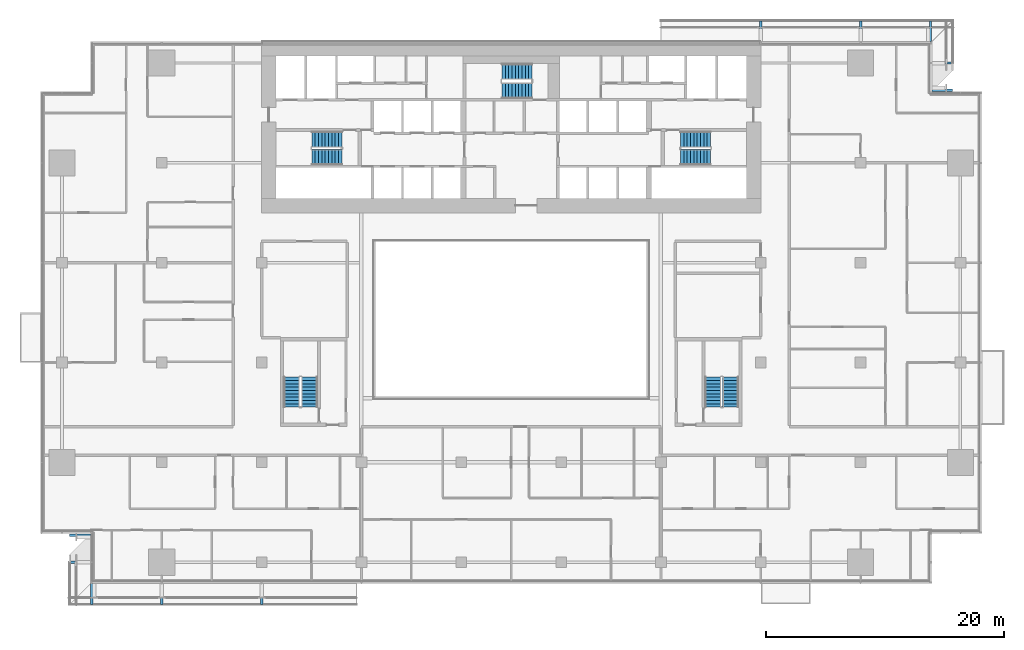
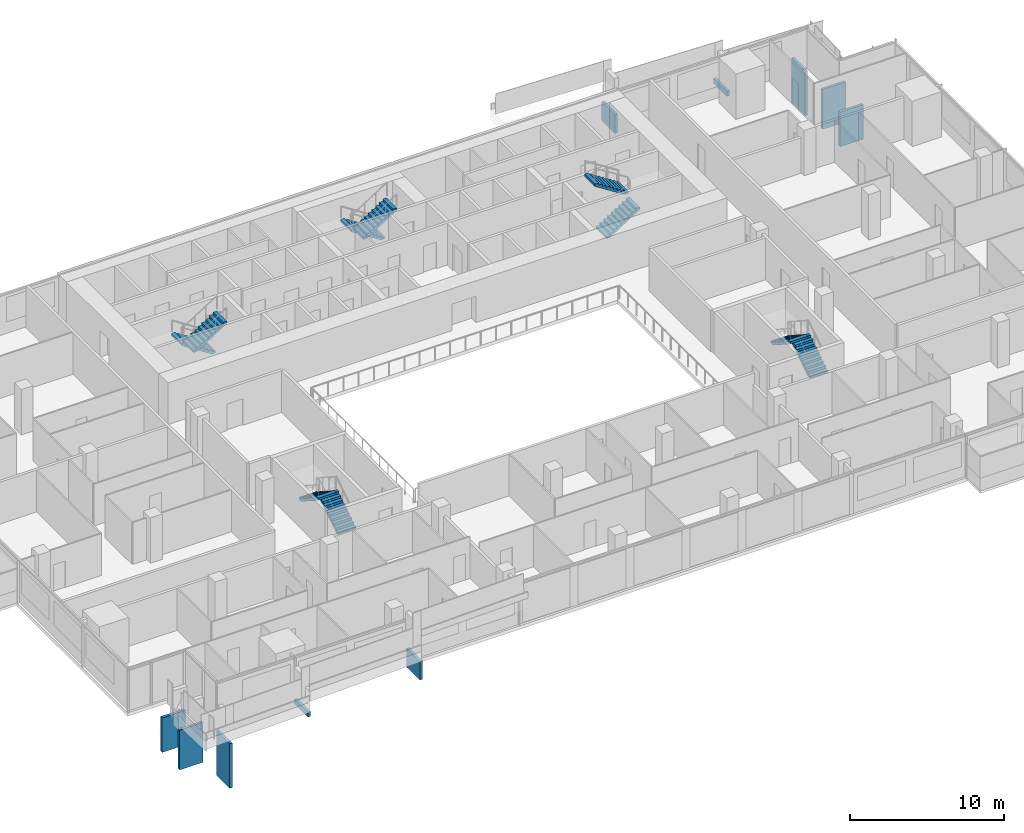
# One storey, part 24 of 29: 10 discrete accessories, 10 stair flights, 5 elements without a shape of their own.
"""IFC4 building model written with IfcOpenShell, lengths in metres."""

from ifc_helpers import new_model, si_unit, direction, frame, origin, origin_2d, place, context, subcontext, project, spatial, polyline, rectangle, outline, extrude, material, type_object, element, aggregate, save


model = new_model("IFC4")

# Units and contexts
model_context = context("Model", 3, precision=1e-05, world=origin(), true_north=direction((0.0, 1.0)))
body_context = subcontext(model_context, "Body", "Model", "MODEL_VIEW")
ifc_project = project(units=[si_unit("LENGTHUNIT", "METRE"), si_unit("AREAUNIT", "SQUARE_METRE"), si_unit("VOLUMEUNIT", "CUBIC_METRE"), si_unit("PLANEANGLEUNIT", "RADIAN"), si_unit("MASSUNIT", "GRAM", prefix="KILO")], contexts=[model_context])

# Site, building, storey
site_placement = place(None, origin())
site = spatial("IfcSite", under=ifc_project, at=site_placement, CompositionType="ELEMENT")
building_placement = place(site_placement, origin())
building = spatial("IfcBuilding", under=site, at=building_placement, Name="Saffron Gate Tower", CompositionType="ELEMENT")
storey_placement = place(building_placement, frame((0.0, 0.0, 58.800048828125)))
storey = spatial("IfcBuildingStorey", under=building, at=storey_placement, Name="L13", CompositionType="ELEMENT", Elevation=58.800048828125)

# Stair, stair flights
ifc_material = material(Name="Concrete C40", Category="concrete")
stair_type = type_object("IfcStairType", Name="ST7 Stair 1350 wide, 20 risers of 180", PredefinedType="HALF_TURN_STAIR", material=ifc_material)
stair_1_placement = place(storey_placement, origin())
stair_1 = element("IfcStair", 1, at=stair_1_placement, inside=storey, type_object=stair_type, Name="L13 Exit stair A", PredefinedType="HALF_TURN_STAIR")
stair_flight_type = type_object("IfcStairFlightType", Name="SF3 Stair flight 1350 wide, riser 180 going 280", PredefinedType="STRAIGHT", material=ifc_material)
stair_flight_1_placement = place(storey_placement, frame((73.35009765625, 67.375, 0.0), z_axis=(0.0, 0.0, 1.0), x_axis=(-1.0, 0.0, 0.0)))
stair_flight_1 = element("IfcStairFlight", 2, at=stair_flight_1_placement, type_object=stair_flight_type, Name="ST-A flight 1", NumberOfRisers=10, NumberOfTreads=9, PredefinedType="STRAIGHT", RiserHeight=0.18, TreadLength=0.28, context=body_context, shape_type="SweptSolid", body=[
    extrude(outline(polyline([(0.0, 0.0), (0.0, 0.179931640625), (0.280029296875, 0.179931640625), (0.280029296875, 0.360107421875), (0.56005859375, 0.360107421875), (0.56005859375, 0.5400390625), (0.840087890625, 0.5400390625), (0.840087890625, 0.719970703125), (1.1201171875, 0.719970703125), (1.1201171875, 0.89990234375), (1.39990234375, 0.89990234375), (1.39990234375, 1.080078125), (1.679931640625, 1.080078125), (1.679931640625, 1.260009765625), (1.9599609375, 1.260009765625), (1.9599609375, 1.43994140625), (2.239990234375, 1.43994140625), (2.239990234375, 1.6201171875), (2.52001953125, 1.6201171875), (2.52001953125, 1.800048828125), (2.52001953125, 1.44189453125), (0.277099609375, 0.0), (0.0, 0.0)])), frame((0.0, 0.675048828125, 0.0), z_axis=(0.0, -1.0, 0.0), x_axis=(1.0, 0.0, 0.0)), (0.0, 0.0, 1.0), 1.35009765625),
])
stair_flight_2_placement = place(storey_placement, frame((70.830078125, 65.875, 1.800048828125), z_axis=(0.0, 0.0, 1.0), x_axis=(1.0, 0.0, 0.0)))
stair_flight_2 = element("IfcStairFlight", 3, at=stair_flight_2_placement, type_object=stair_flight_type, Name="ST-A flight 2", NumberOfRisers=10, NumberOfTreads=9, PredefinedType="STRAIGHT", RiserHeight=0.18, TreadLength=0.28, context=body_context, shape_type="SweptSolid", body=[
    extrude(outline(polyline([(0.0, 0.0), (0.0, 0.179931640625), (0.280029296875, 0.179931640625), (0.280029296875, 0.360107421875), (0.56005859375, 0.360107421875), (0.56005859375, 0.5400390625), (0.840087890625, 0.5400390625), (0.840087890625, 0.719970703125), (1.1201171875, 0.719970703125), (1.1201171875, 0.89990234375), (1.39990234375, 0.89990234375), (1.39990234375, 1.080078125), (1.679931640625, 1.080078125), (1.679931640625, 1.260009765625), (1.9599609375, 1.260009765625), (1.9599609375, 1.43994140625), (2.239990234375, 1.43994140625), (2.239990234375, 1.6201171875), (2.52001953125, 1.6201171875), (2.52001953125, 1.800048828125), (2.52001953125, 1.44189453125), (0.277099609375, 0.0), (0.0, 0.0)])), frame((0.0, 0.675048828125, 0.0), z_axis=(0.0, -1.0, 0.0), x_axis=(1.0, 0.0, 0.0)), (0.0, 0.0, 1.0), 1.35009765625),
])
aggregate(stair_1, [stair_flight_1, stair_flight_2])

stair_2_placement = place(storey_placement, origin())
stair_2 = element("IfcStair", 4, at=stair_2_placement, inside=storey, type_object=stair_type, Name="L13 Exit stair B", PredefinedType="HALF_TURN_STAIR")
stair_flight_3_placement = place(storey_placement, frame((101.85009765625, 65.875, 0.0), z_axis=(0.0, 0.0, 1.0), x_axis=(1.0, 0.0, 0.0)))
stair_flight_3 = element("IfcStairFlight", 5, at=stair_flight_3_placement, type_object=stair_flight_type, Name="ST-B flight 1", NumberOfRisers=10, NumberOfTreads=9, PredefinedType="STRAIGHT", RiserHeight=0.18, TreadLength=0.28, context=body_context, shape_type="SweptSolid", body=[
    extrude(outline(polyline([(0.0, 0.0), (0.0, 0.179931640625), (0.280029296875, 0.179931640625), (0.280029296875, 0.360107421875), (0.56005859375, 0.360107421875), (0.56005859375, 0.5400390625), (0.840087890625, 0.5400390625), (0.840087890625, 0.719970703125), (1.1201171875, 0.719970703125), (1.1201171875, 0.89990234375), (1.39990234375, 0.89990234375), (1.39990234375, 1.080078125), (1.679931640625, 1.080078125), (1.679931640625, 1.260009765625), (1.9599609375, 1.260009765625), (1.9599609375, 1.43994140625), (2.239990234375, 1.43994140625), (2.239990234375, 1.6201171875), (2.52001953125, 1.6201171875), (2.52001953125, 1.800048828125), (2.52001953125, 1.44189453125), (0.277099609375, 0.0), (0.0, 0.0)])), frame((0.0, 0.675048828125, 0.0), z_axis=(0.0, -1.0, 0.0), x_axis=(1.0, 0.0, 0.0)), (0.0, 0.0, 1.0), 1.35009765625),
])
stair_flight_4_placement = place(storey_placement, frame((104.3701171875, 67.375, 1.800048828125), z_axis=(0.0, 0.0, 1.0), x_axis=(-1.0, 0.0, 0.0)))
stair_flight_4 = element("IfcStairFlight", 6, at=stair_flight_4_placement, type_object=stair_flight_type, Name="ST-B flight 2", NumberOfRisers=10, NumberOfTreads=9, PredefinedType="STRAIGHT", RiserHeight=0.18, TreadLength=0.28, context=body_context, shape_type="SweptSolid", body=[
    extrude(outline(polyline([(0.0, 0.0), (0.0, 0.179931640625), (0.280029296875, 0.179931640625), (0.280029296875, 0.360107421875), (0.56005859375, 0.360107421875), (0.56005859375, 0.5400390625), (0.840087890625, 0.5400390625), (0.840087890625, 0.719970703125), (1.1201171875, 0.719970703125), (1.1201171875, 0.89990234375), (1.39990234375, 0.89990234375), (1.39990234375, 1.080078125), (1.679931640625, 1.080078125), (1.679931640625, 1.260009765625), (1.9599609375, 1.260009765625), (1.9599609375, 1.43994140625), (2.239990234375, 1.43994140625), (2.239990234375, 1.6201171875), (2.52001953125, 1.6201171875), (2.52001953125, 1.800048828125), (2.52001953125, 1.44189453125), (0.277099609375, 0.0), (0.0, 0.0)])), frame((0.0, 0.675048828125, 0.0), z_axis=(0.0, -1.0, 0.0), x_axis=(1.0, 0.0, 0.0)), (0.0, 0.0, 1.0), 1.35009765625),
])
aggregate(stair_2, [stair_flight_3, stair_flight_4])

stair_3_placement = place(storey_placement, origin())
stair_3 = element("IfcStair", 7, at=stair_3_placement, inside=storey, type_object=stair_type, Name="L13 Exit stair C", PredefinedType="HALF_TURN_STAIR")
stair_flight_5_placement = place(storey_placement, frame((89.35009765625, 73.074951171875, 0.0), z_axis=(0.0, 0.0, 1.0), x_axis=(-1.0, 0.0, 0.0)))
stair_flight_5 = element("IfcStairFlight", 8, at=stair_flight_5_placement, type_object=stair_flight_type, Name="ST-C flight 1", NumberOfRisers=10, NumberOfTreads=9, PredefinedType="STRAIGHT", RiserHeight=0.18, TreadLength=0.28, context=body_context, shape_type="SweptSolid", body=[
    extrude(outline(polyline([(0.0, 0.0), (0.0, 0.179931640625), (0.280029296875, 0.179931640625), (0.280029296875, 0.360107421875), (0.56005859375, 0.360107421875), (0.56005859375, 0.5400390625), (0.840087890625, 0.5400390625), (0.840087890625, 0.719970703125), (1.1201171875, 0.719970703125), (1.1201171875, 0.89990234375), (1.39990234375, 0.89990234375), (1.39990234375, 1.080078125), (1.679931640625, 1.080078125), (1.679931640625, 1.260009765625), (1.9599609375, 1.260009765625), (1.9599609375, 1.43994140625), (2.239990234375, 1.43994140625), (2.239990234375, 1.6201171875), (2.52001953125, 1.6201171875), (2.52001953125, 1.800048828125), (2.52001953125, 1.44189453125), (0.277099609375, 0.0), (0.0, 0.0)])), frame((0.0, 0.675048828125, 0.0), z_axis=(0.0, -1.0, 0.0), x_axis=(1.0, 0.0, 0.0)), (0.0, 0.0, 1.0), 1.35009765625),
])
stair_flight_6_placement = place(storey_placement, frame((86.830078125, 71.47509765625, 1.800048828125), z_axis=(0.0, 0.0, 1.0), x_axis=(1.0, 0.0, 0.0)))
stair_flight_6 = element("IfcStairFlight", 9, at=stair_flight_6_placement, type_object=stair_flight_type, Name="ST-C flight 2", NumberOfRisers=10, NumberOfTreads=9, PredefinedType="STRAIGHT", RiserHeight=0.18, TreadLength=0.28, context=body_context, shape_type="SweptSolid", body=[
    extrude(outline(polyline([(0.0, 0.0), (0.0, 0.179931640625), (0.280029296875, 0.179931640625), (0.280029296875, 0.360107421875), (0.56005859375, 0.360107421875), (0.56005859375, 0.5400390625), (0.840087890625, 0.5400390625), (0.840087890625, 0.719970703125), (1.1201171875, 0.719970703125), (1.1201171875, 0.89990234375), (1.39990234375, 0.89990234375), (1.39990234375, 1.080078125), (1.679931640625, 1.080078125), (1.679931640625, 1.260009765625), (1.9599609375, 1.260009765625), (1.9599609375, 1.43994140625), (2.239990234375, 1.43994140625), (2.239990234375, 1.6201171875), (2.52001953125, 1.6201171875), (2.52001953125, 1.800048828125), (2.52001953125, 1.44189453125), (0.277099609375, 0.0), (0.0, 0.0)])), frame((0.0, 0.675048828125, 0.0), z_axis=(0.0, -1.0, 0.0), x_axis=(1.0, 0.0, 0.0)), (0.0, 0.0, 1.0), 1.35009765625),
])
aggregate(stair_3, [stair_flight_5, stair_flight_6])

stair_4_placement = place(storey_placement, origin())
stair_4 = element("IfcStair", 10, at=stair_4_placement, inside=storey, type_object=stair_type, Name="L13 Exit stair D", PredefinedType="HALF_TURN_STAIR")
stair_flight_7_placement = place(storey_placement, frame((70.625, 44.85009765625, 0.0), z_axis=(0.0, 0.0, 1.0), x_axis=(0.0, 1.0, 0.0)))
stair_flight_7 = element("IfcStairFlight", 11, at=stair_flight_7_placement, type_object=stair_flight_type, Name="ST-D flight 1", NumberOfRisers=10, NumberOfTreads=9, PredefinedType="STRAIGHT", RiserHeight=0.18, TreadLength=0.28, context=body_context, shape_type="SweptSolid", body=[
    extrude(outline(polyline([(0.0, 0.0), (0.0, 0.179931640625), (0.280029296875, 0.179931640625), (0.280029296875, 0.360107421875), (0.56005859375, 0.360107421875), (0.56005859375, 0.5400390625), (0.840087890625, 0.5400390625), (0.840087890625, 0.719970703125), (1.1201171875, 0.719970703125), (1.1201171875, 0.89990234375), (1.39990234375, 0.89990234375), (1.39990234375, 1.080078125), (1.679931640625, 1.080078125), (1.679931640625, 1.260009765625), (1.9599609375, 1.260009765625), (1.9599609375, 1.43994140625), (2.239990234375, 1.43994140625), (2.239990234375, 1.6201171875), (2.52001953125, 1.6201171875), (2.52001953125, 1.800048828125), (2.52001953125, 1.44189453125), (0.277099609375, 0.0), (0.0, 0.0)])), frame((0.0, 0.675048828125, 0.0), z_axis=(0.0, -1.0, 0.0), x_axis=(1.0, 0.0, 0.0)), (0.0, 0.0, 1.0), 1.35009765625),
])
stair_flight_8_placement = place(storey_placement, frame((69.125, 47.3701171875, 1.800048828125), z_axis=(0.0, 0.0, 1.0), x_axis=(0.0, -1.0, 0.0)))
stair_flight_8 = element("IfcStairFlight", 12, at=stair_flight_8_placement, type_object=stair_flight_type, Name="ST-D flight 2", NumberOfRisers=10, NumberOfTreads=9, PredefinedType="STRAIGHT", RiserHeight=0.18, TreadLength=0.28, context=body_context, shape_type="SweptSolid", body=[
    extrude(outline(polyline([(0.0, 0.0), (0.0, 0.179931640625), (0.280029296875, 0.179931640625), (0.280029296875, 0.360107421875), (0.56005859375, 0.360107421875), (0.56005859375, 0.5400390625), (0.840087890625, 0.5400390625), (0.840087890625, 0.719970703125), (1.1201171875, 0.719970703125), (1.1201171875, 0.89990234375), (1.39990234375, 0.89990234375), (1.39990234375, 1.080078125), (1.679931640625, 1.080078125), (1.679931640625, 1.260009765625), (1.9599609375, 1.260009765625), (1.9599609375, 1.43994140625), (2.239990234375, 1.43994140625), (2.239990234375, 1.6201171875), (2.52001953125, 1.6201171875), (2.52001953125, 1.800048828125), (2.52001953125, 1.44189453125), (0.277099609375, 0.0), (0.0, 0.0)])), frame((0.0, 0.675048828125, 0.0), z_axis=(0.0, -1.0, 0.0), x_axis=(1.0, 0.0, 0.0)), (0.0, 0.0, 1.0), 1.35009765625),
])
aggregate(stair_4, [stair_flight_7, stair_flight_8])

stair_5_placement = place(storey_placement, origin())
stair_5 = element("IfcStair", 13, at=stair_5_placement, inside=storey, type_object=stair_type, Name="L13 Exit stair E", PredefinedType="HALF_TURN_STAIR")
stair_flight_9_placement = place(storey_placement, frame((106.074951171875, 44.85009765625, 0.0), z_axis=(0.0, 0.0, 1.0), x_axis=(0.0, 1.0, 0.0)))
stair_flight_9 = element("IfcStairFlight", 14, at=stair_flight_9_placement, type_object=stair_flight_type, Name="ST-E flight 1", NumberOfRisers=10, NumberOfTreads=9, PredefinedType="STRAIGHT", RiserHeight=0.18, TreadLength=0.28, context=body_context, shape_type="SweptSolid", body=[
    extrude(outline(polyline([(0.0, 0.0), (0.0, 0.179931640625), (0.280029296875, 0.179931640625), (0.280029296875, 0.360107421875), (0.56005859375, 0.360107421875), (0.56005859375, 0.5400390625), (0.840087890625, 0.5400390625), (0.840087890625, 0.719970703125), (1.1201171875, 0.719970703125), (1.1201171875, 0.89990234375), (1.39990234375, 0.89990234375), (1.39990234375, 1.080078125), (1.679931640625, 1.080078125), (1.679931640625, 1.260009765625), (1.9599609375, 1.260009765625), (1.9599609375, 1.43994140625), (2.239990234375, 1.43994140625), (2.239990234375, 1.6201171875), (2.52001953125, 1.6201171875), (2.52001953125, 1.800048828125), (2.52001953125, 1.44189453125), (0.277099609375, 0.0), (0.0, 0.0)])), frame((0.0, 0.675048828125, 0.0), z_axis=(0.0, -1.0, 0.0), x_axis=(1.0, 0.0, 0.0)), (0.0, 0.0, 1.0), 1.35009765625),
])
stair_flight_10_placement = place(storey_placement, frame((104.574951171875, 47.3701171875, 1.800048828125), z_axis=(0.0, 0.0, 1.0), x_axis=(0.0, -1.0, 0.0)))
stair_flight_10 = element("IfcStairFlight", 15, at=stair_flight_10_placement, type_object=stair_flight_type, Name="ST-E flight 2", NumberOfRisers=10, NumberOfTreads=9, PredefinedType="STRAIGHT", RiserHeight=0.18, TreadLength=0.28, context=body_context, shape_type="SweptSolid", body=[
    extrude(outline(polyline([(0.0, 0.0), (0.0, 0.179931640625), (0.280029296875, 0.179931640625), (0.280029296875, 0.360107421875), (0.56005859375, 0.360107421875), (0.56005859375, 0.5400390625), (0.840087890625, 0.5400390625), (0.840087890625, 0.719970703125), (1.1201171875, 0.719970703125), (1.1201171875, 0.89990234375), (1.39990234375, 0.89990234375), (1.39990234375, 1.080078125), (1.679931640625, 1.080078125), (1.679931640625, 1.260009765625), (1.9599609375, 1.260009765625), (1.9599609375, 1.43994140625), (2.239990234375, 1.43994140625), (2.239990234375, 1.6201171875), (2.52001953125, 1.6201171875), (2.52001953125, 1.800048828125), (2.52001953125, 1.44189453125), (0.277099609375, 0.0), (0.0, 0.0)])), frame((0.0, 0.675048828125, 0.0), z_axis=(0.0, -1.0, 0.0), x_axis=(1.0, 0.0, 0.0)), (0.0, 0.0, 1.0), 1.35009765625),
])
aggregate(stair_5, [stair_flight_9, stair_flight_10])

# Discrete accessories
discrete_accessory_1_placement = place(storey_placement, frame((123.875, 71.52001953125, -3.8798828125), z_axis=(0.0, 0.0, 1.0), x_axis=(0.0, 1.0, 0.0)))
element("IfcDiscreteAccessory", 16, at=discrete_accessory_1_placement, inside=storey, Name="LEDGE rib", PredefinedType="BRACKET", context=body_context, shape_type="SweptSolid", body=[
    extrude(rectangle(XDim=0.199951171875, YDim=1.75, at=origin_2d()), origin(), (0.0, 0.0, 1.0), 2.744873046875),
])
discrete_accessory_2_placement = place(storey_placement, frame((123.875, 73.800048828125, -3.8798828125), z_axis=(0.0, 0.0, 1.0), x_axis=(0.0, 1.0, 0.0)))
element("IfcDiscreteAccessory", 17, at=discrete_accessory_2_placement, inside=storey, Name="LEDGE rib", PredefinedType="BRACKET", context=body_context, shape_type="SweptSolid", body=[
    extrude(rectangle(XDim=0.199951171875, YDim=1.75, at=origin_2d()), origin(), (0.0, 0.0, 1.0), 3.156982421875),
])
discrete_accessory_3_placement = place(storey_placement, frame((122.8798828125, 76.47509765625, -3.880126953125), z_axis=(0.0, 0.0, 1.0), x_axis=(-1.0, 0.0, 0.0)))
element("IfcDiscreteAccessory", 18, at=discrete_accessory_3_placement, inside=storey, Name="LEDGE rib", PredefinedType="BRACKET", context=body_context, shape_type="SweptSolid", body=[
    extrude(rectangle(XDim=0.199951171875, YDim=1.75, at=origin_2d()), origin(), (0.0, 0.0, 1.0), 3.5517578125),
])
discrete_accessory_4_placement = place(storey_placement, frame((117.0, 76.47509765625, -0.280029296875), z_axis=(0.0, 0.0, 1.0), x_axis=(-1.0, 0.0, 0.0)))
element("IfcDiscreteAccessory", 19, at=discrete_accessory_4_placement, inside=storey, Name="LEDGE rib", PredefinedType="BRACKET", context=body_context, shape_type="SweptSolid", body=[
    extrude(rectangle(XDim=0.199951171875, YDim=1.75, at=origin_2d()), origin(), (0.0, 0.0, 1.0), 0.3818359375),
])
discrete_accessory_5_placement = place(storey_placement, frame((108.60009765625, 76.47509765625, -0.2802734375), z_axis=(0.0, 0.0, 1.0), x_axis=(-1.0, 0.0, 0.0)))
element("IfcDiscreteAccessory", 20, at=discrete_accessory_5_placement, inside=storey, Name="LEDGE rib", PredefinedType="BRACKET", context=body_context, shape_type="SweptSolid", body=[
    extrude(rectangle(XDim=0.199951171875, YDim=1.75, at=origin_2d()), origin(), (0.0, 0.0, 1.0), 1.481201171875),
])
discrete_accessory_6_placement = place(storey_placement, frame((51.324951171875, 34.080078125, -3.8798828125), z_axis=(0.0, 0.0, 1.0), x_axis=(0.0, -1.0, 0.0)))
element("IfcDiscreteAccessory", 21, at=discrete_accessory_6_placement, inside=storey, Name="LEDGE rib", PredefinedType="BRACKET", context=body_context, shape_type="SweptSolid", body=[
    extrude(rectangle(XDim=0.199951171875, YDim=1.75, at=origin_2d()), origin(), (0.0, 0.0, 1.0), 2.744873046875),
])
discrete_accessory_7_placement = place(storey_placement, frame((51.324951171875, 31.800048828125, -3.8798828125), z_axis=(0.0, 0.0, 1.0), x_axis=(0.0, -1.0, 0.0)))
element("IfcDiscreteAccessory", 22, at=discrete_accessory_7_placement, inside=storey, Name="LEDGE rib", PredefinedType="BRACKET", context=body_context, shape_type="SweptSolid", body=[
    extrude(rectangle(XDim=0.199951171875, YDim=1.75, at=origin_2d()), origin(), (0.0, 0.0, 1.0), 3.156982421875),
])
discrete_accessory_8_placement = place(storey_placement, frame((52.320068359375, 29.125, -3.880126953125), z_axis=(0.0, 0.0, 1.0), x_axis=(1.0, 0.0, 0.0)))
element("IfcDiscreteAccessory", 23, at=discrete_accessory_8_placement, inside=storey, Name="LEDGE rib", PredefinedType="BRACKET", context=body_context, shape_type="SweptSolid", body=[
    extrude(rectangle(XDim=0.199951171875, YDim=1.75, at=origin_2d()), origin(), (0.0, 0.0, 1.0), 3.5517578125),
])
discrete_accessory_9_placement = place(storey_placement, frame((58.199951171875, 29.125, -0.280029296875), z_axis=(0.0, 0.0, 1.0), x_axis=(1.0, 0.0, 0.0)))
element("IfcDiscreteAccessory", 24, at=discrete_accessory_9_placement, inside=storey, Name="LEDGE rib", PredefinedType="BRACKET", context=body_context, shape_type="SweptSolid", body=[
    extrude(rectangle(XDim=0.199951171875, YDim=1.75, at=origin_2d()), origin(), (0.0, 0.0, 1.0), 0.3818359375),
])
discrete_accessory_10_placement = place(storey_placement, frame((66.60009765625, 29.125, -0.2802734375), z_axis=(0.0, 0.0, 1.0), x_axis=(1.0, 0.0, 0.0)))
element("IfcDiscreteAccessory", 25, at=discrete_accessory_10_placement, inside=storey, Name="LEDGE rib", PredefinedType="BRACKET", context=body_context, shape_type="SweptSolid", body=[
    extrude(rectangle(XDim=0.199951171875, YDim=1.75, at=origin_2d()), origin(), (0.0, 0.0, 1.0), 1.481201171875),
])

save(model, "model.ifc")
